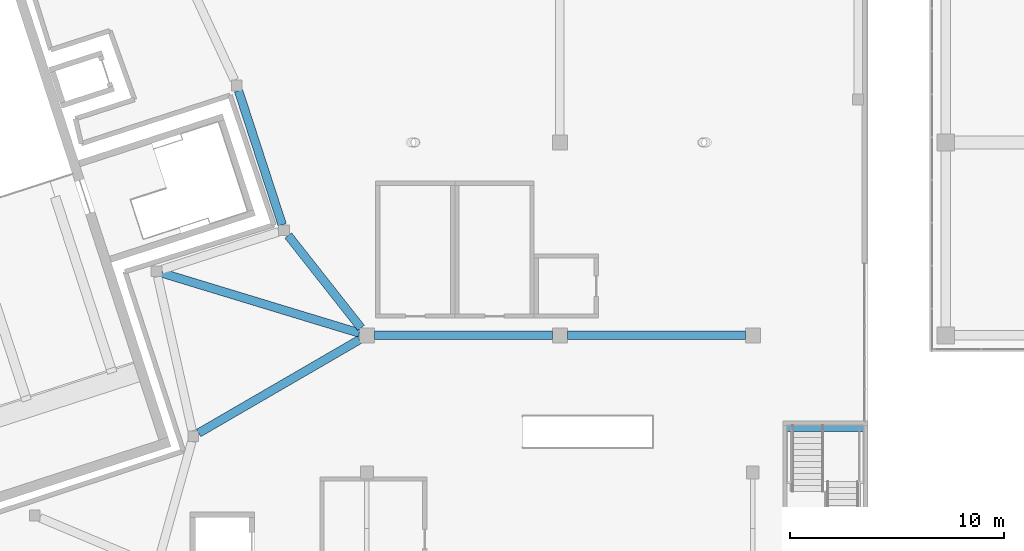
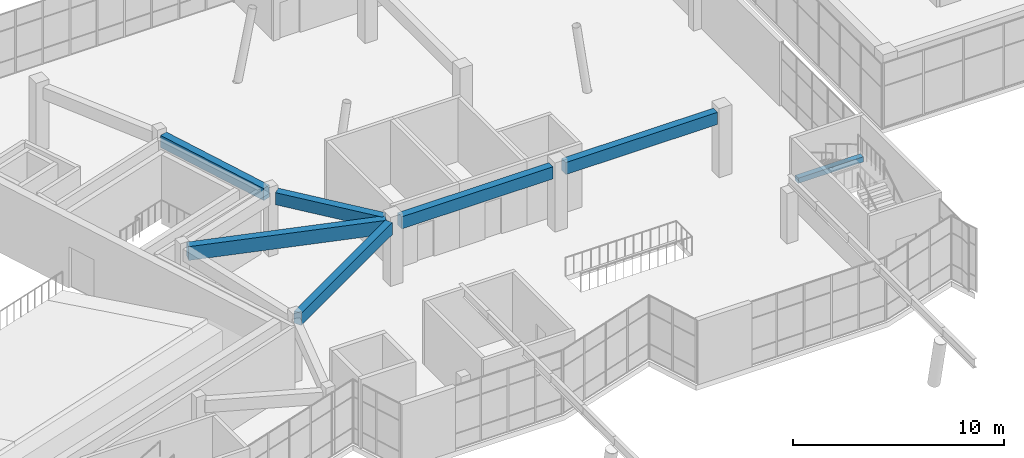
# One storey, part 10 of 65: 7 beams.
"""IFC4 building model written with IfcOpenShell, lengths in metres."""

import ifcopenshell
import ifcopenshell.guid

model = None  # the IFC model being written
_history = None  # IfcOwnerHistory: only IFC2X3 demands one
_inside = {}  # id of a spatial element -> (the spatial element, [elements in it])
_under = {}  # id of a project, library or spatial element -> (it, [spatial elements below it])
_declared = {}  # id of a project -> (the project, [libraries it declares])
_typed = {}  # id of a type object -> (the type object, [elements of that type])
_made_of = {}  # id of a material, layer set ... -> (it, [elements and type objects made of it])


def new_model(schema):
    """Start an empty IFC model of exactly this schema.

    Asked for "IFC4X3", IfcOpenShell would pick the latest addendum, in which some entities
    have other attributes; the version numbers below select the first issue.
    IFC2X3 requires an IfcOwnerHistory on every rooted entity: one is made here for all.
    """
    global model, _history
    if schema == "IFC4X3":
        model = ifcopenshell.file(schema_version=(4, 3, 0, 0))
    else:
        model = ifcopenshell.file(schema=schema)
    _inside.clear()
    _under.clear()
    _declared.clear()
    _typed.clear()
    _made_of.clear()
    _history = None
    if model.schema == "IFC2X3":
        org = make("IfcOrganization", Name="unknown")
        user = make(
            "IfcPersonAndOrganization",
            ThePerson=make("IfcPerson", FamilyName="unknown"),
            TheOrganization=org,
        )
        app = make(
            "IfcApplication",
            ApplicationDeveloper=org,
            Version="unknown",
            ApplicationFullName="unknown",
            ApplicationIdentifier="unknown",
        )
        _history = make(
            "IfcOwnerHistory",
            OwningUser=user,
            OwningApplication=app,
            ChangeAction="ADDED",
            CreationDate=0,
        )
    return model


def make(cls, **values):
    """One entity of the class cls with the attributes given. An attribute that is None is left unset."""
    return model.create_entity(
        cls, **{name: value for name, value in values.items() if value is not None}
    )


def rooted(cls, **values):
    """An entity with a GlobalId (a new one), such as an element, a storey or a relation."""
    return make(cls, GlobalId=ifcopenshell.guid.new(), OwnerHistory=_history, **values)


def si_unit(unit_type, name, prefix=None):
    """IfcSIUnit, for example si_unit("LENGTHUNIT", "METRE", prefix="MILLI")."""
    return make("IfcSIUnit", UnitType=unit_type, Prefix=prefix, Name=name)


def assignment(units):
    """IfcUnitAssignment: the units of a project."""
    return None if units is None else make("IfcUnitAssignment", Units=units)


def point(xyz):
    """IfcCartesianPoint."""
    return None if xyz is None else make("IfcCartesianPoint", Coordinates=xyz)


def direction(xyz):
    """IfcDirection."""
    return None if xyz is None else make("IfcDirection", DirectionRatios=xyz)


def frame(location, z_axis=None, x_axis=None):
    """IfcAxis2Placement3D, a coordinate frame: its origin and axes. An axis left out is left unset."""
    return make(
        "IfcAxis2Placement3D",
        Location=point(location),
        Axis=direction(z_axis),
        RefDirection=direction(x_axis),
    )


def frame_2d(location, x_axis=None):
    """IfcAxis2Placement2D, a coordinate frame in the plane: its origin and x axis."""
    return make(
        "IfcAxis2Placement2D", Location=point(location), RefDirection=direction(x_axis)
    )


def origin():
    """The frame at (0, 0, 0) with its axes left unset."""
    return frame((0.0, 0.0, 0.0))


def origin_2d():
    """The frame at (0, 0) in the plane with its x axis left unset."""
    return frame_2d((0.0, 0.0))


def place(relative_to, where):
    """IfcLocalPlacement: puts the frame where relative to a parent placement (None: the world)."""
    return make(
        "IfcLocalPlacement", PlacementRelTo=relative_to, RelativePlacement=where
    )


def context(
    kind, dimensions, precision=None, world=None, true_north=None, identifier=None
):
    """IfcGeometricRepresentationContext, for example the 3D "Model" context."""
    return make(
        "IfcGeometricRepresentationContext",
        ContextIdentifier=identifier,
        ContextType=kind,
        CoordinateSpaceDimension=dimensions,
        Precision=precision,
        WorldCoordinateSystem=world,
        TrueNorth=true_north,
    )


def subcontext(parent, identifier, kind, view, scale=None):
    """IfcGeometricRepresentationSubContext, for example "Body" below "Model"."""
    return make(
        "IfcGeometricRepresentationSubContext",
        ContextIdentifier=identifier,
        ContextType=kind,
        ParentContext=parent,
        TargetScale=scale,
        TargetView=view,
    )


def project(units=None, contexts=None):
    """IfcProject with its units and contexts."""
    return rooted(
        "IfcProject",
        Name="project",
        RepresentationContexts=contexts,
        UnitsInContext=assignment(units),
    )


def spatial(cls, under=None, at=None, **own):
    """A site, building, storey or space (cls), placed at a placement, below another one or the project."""
    s = rooted(cls, ObjectPlacement=at, **own)
    if under is not None:
        _under.setdefault(under.id(), (under, []))[1].append(s)
    return s


def profile(cls, at=None, kind="AREA", **sizes):
    """A parametric profile (cls). Its sizes go by their IFC names, for example OverallWidth=200.0."""
    return make(cls, ProfileType=kind, Position=at, **sizes)


def rectangle(**sizes):
    """IfcRectangleProfileDef."""
    return profile("IfcRectangleProfileDef", **sizes)


def extrude(swept, where, along, depth):
    """IfcExtrudedAreaSolid: the profile swept, set in the frame where, extruded along a direction by depth."""
    return make(
        "IfcExtrudedAreaSolid",
        SweptArea=swept,
        Position=where,
        ExtrudedDirection=direction(along),
        Depth=depth,
    )


def shape(context_of_items, identifier, shape_type, items):
    """IfcShapeRepresentation: the items that make up one representation, for example the "Body"."""
    return make(
        "IfcShapeRepresentation",
        ContextOfItems=context_of_items,
        RepresentationIdentifier=identifier,
        RepresentationType=shape_type,
        Items=items,
    )


def material(Name=None, Category=None):
    """IfcMaterial."""
    return make("IfcMaterial", Name=Name, Category=Category)


def material_profile(
    of_material, cross_section, Name=None, Category=None, Priority=None
):
    """IfcMaterialProfile: a cross section and its material."""
    return make(
        "IfcMaterialProfile",
        Name=Name,
        Material=of_material,
        Profile=cross_section,
        Priority=Priority,
        Category=Category,
    )


def profile_set(profiles, Name=None, composite=None):
    """IfcMaterialProfileSet."""
    return make(
        "IfcMaterialProfileSet",
        Name=Name,
        MaterialProfiles=profiles,
        CompositeProfile=composite,
    )


def made_of(thing, what):
    """Note that an element or type object is made of a material, layer set ...; save() writes the relation."""
    if what is not None:
        _made_of.setdefault(what.id(), (what, []))[1].append(thing)
    return thing


def type_object(cls, material=None, **own):
    """A type object (cls), such as IfcWallType, which elements share."""
    return made_of(rooted(cls, **own), material)


def element(
    cls,
    number,
    at=None,
    inside=None,
    cuts=None,
    type_object=None,
    material=None,
    context=None,
    identifier="Body",
    shape_type=None,
    held_by="IfcProductDefinitionShape",
    body=None,
    shapes=None,
    **own,
):
    """One element of the class cls, such as IfcWall. Its Tag is "e" and its number.

    at: its placement. inside: the storey or other place that contains it. cuts: it is an
    opening in that element (IfcRelVoidsElement). A single representation is given by context,
    identifier, shape_type and body (its items); several are given by shapes. held_by: the class
    of the entity that holds the representations. save() writes the other relations.
    """
    e = rooted(cls, Tag="e%d" % number, ObjectPlacement=at, **own)
    if body is not None:
        shapes = [shape(context, identifier, shape_type, body)]
    if shapes is not None:
        e.Representation = make(held_by, Representations=shapes)
    if inside is not None:
        _inside.setdefault(inside.id(), (inside, []))[1].append(e)
    if cuts is not None:
        rooted(
            "IfcRelVoidsElement", RelatingBuildingElement=cuts, RelatedOpeningElement=e
        )
    if type_object is not None:
        _typed.setdefault(type_object.id(), (type_object, []))[1].append(e)
    return made_of(e, material)


def aggregate(whole, parts):
    """IfcRelAggregates: a whole, such as a stair, and the parts it consists of."""
    return rooted("IfcRelAggregates", RelatingObject=whole, RelatedObjects=parts)


def save(model, path):
    """Write the relations noted so far, then the file.

    IfcRelAggregates (storeys below a building ...), IfcRelContainedInSpatialStructure (elements
    in a storey), IfcRelDefinesByType, IfcRelAssociatesMaterial and IfcRelDeclares: one each for
    every whole, place, type object, material and project.
    """
    for whole, parts in _under.values():
        aggregate(whole, parts)
    for where, things in _inside.values():
        rooted(
            "IfcRelContainedInSpatialStructure",
            RelatedElements=things,
            RelatingStructure=where,
        )
    for kind, things in _typed.values():
        rooted("IfcRelDefinesByType", RelatedObjects=things, RelatingType=kind)
    for what, things in _made_of.values():
        rooted("IfcRelAssociatesMaterial", RelatedObjects=things, RelatingMaterial=what)
    for by, libraries in _declared.values():
        rooted("IfcRelDeclares", RelatingContext=by, RelatedDefinitions=libraries)
    model.write(path)


model = new_model("IFC4")

# Units and contexts
model_context = context("Model", 3, precision=1e-05, world=origin(), true_north=direction((0.0, 1.0)))
body_context = subcontext(model_context, "Body", "Model", "MODEL_VIEW")
ifc_project = project(units=[si_unit("LENGTHUNIT", "METRE"), si_unit("AREAUNIT", "SQUARE_METRE"), si_unit("VOLUMEUNIT", "CUBIC_METRE"), si_unit("PLANEANGLEUNIT", "RADIAN"), si_unit("MASSUNIT", "GRAM", prefix="KILO")], contexts=[model_context])

# Site, building, storey
site_placement = place(None, origin())
site = spatial("IfcSite", under=ifc_project, at=site_placement, CompositionType="ELEMENT")
building_placement = place(site_placement, origin())
building = spatial("IfcBuilding", under=site, at=building_placement, Name="Tuart Plaza Theatre", CompositionType="ELEMENT")
storey_placement = place(building_placement, frame((0.0, 0.0, 9.5)))
storey = spatial("IfcBuildingStorey", under=building, at=storey_placement, Name="L02", CompositionType="ELEMENT", Elevation=9.5)

# Beams
ifc_material_1 = material(Name="Concrete N40 (40 MPa)", Category="concrete")
ifc_material_profile_1 = material_profile(ifc_material_1, rectangle(XDim=0.300048828125, YDim=0.300048828125, at=origin_2d()), Name="BEAM 300x300 Concrete N40 (40 MPa)")
ifc_profile_set_1 = profile_set([ifc_material_profile_1], Name="Concrete N40 (40 MPa)")
beam_type_1 = type_object("IfcBeamType", Name="BEAM 300x300 Concrete N40 (40 MPa)", PredefinedType="BEAM", material=ifc_profile_set_1)
beam_1_placement = place(storey_placement, frame((110.159912109375, 51.659912109375, 1.64990234375), z_axis=(-1.0, 0.0, 0.0), x_axis=(0.0, -1.0, 0.0)))
element("IfcBeam", 1, at=beam_1_placement, inside=storey, type_object=beam_type_1, Name="RB60", PredefinedType="BEAM", context=body_context, shape_type="SweptSolid", body=[
    extrude(rectangle(XDim=0.300048828125, YDim=0.300048828125, at=origin_2d()), origin(), (0.0, 0.0, 1.0), 3.559814453125),
])
ifc_material_2 = material(Name="Concrete N40 (40 MPa)", Category="concrete")
ifc_material_profile_2 = material_profile(ifc_material_2, rectangle(XDim=0.39990234375, YDim=0.699951171875, at=origin_2d()), Name="BEAM 400x700 Concrete N40 (40 MPa)")
ifc_profile_set_2 = profile_set([ifc_material_profile_2], Name="Concrete N40 (40 MPa)")
beam_type_2 = type_object("IfcBeamType", Name="BEAM 400x700 Concrete N40 (40 MPa)", PredefinedType="BEAM", material=ifc_profile_set_2)
beam_2_placement = place(storey_placement, frame((87.35009765625, 56.0, 3.35009765625), z_axis=(1.0, 0.0, 0.0), x_axis=(0.0, 1.0, 0.0)))
element("IfcBeam", 2, at=beam_2_placement, inside=storey, type_object=beam_type_2, Name="RB473", PredefinedType="BEAM", context=body_context, shape_type="SweptSolid", body=[
    extrude(rectangle(XDim=0.39990234375, YDim=0.699951171875, at=origin_2d()), origin(), (0.0, 0.0, 1.0), 8.2998046875),
])
beam_3_placement = place(storey_placement, frame((86.64990234375, 55.796875, 3.35009765625), z_axis=(-0.864940750238, -0.501873986751, 0.0), x_axis=(0.501873986751, -0.864940750238, 0.0)))
element("IfcBeam", 3, at=beam_3_placement, inside=storey, type_object=beam_type_2, Name="RB474", PredefinedType="BEAM", context=body_context, shape_type="SweptSolid", body=[
    extrude(rectangle(XDim=0.39990234375, YDim=0.699951171875, at=origin_2d()), origin(), (0.0, 0.0, 1.0), 8.671142578125),
])
beam_4_placement = place(storey_placement, frame((86.72412109375, 56.35009765625, 3.35009765625), z_axis=(-0.619025268414, 0.785371069664, 0.0), x_axis=(-0.785371069664, -0.619025268414, 0.0)))
element("IfcBeam", 4, at=beam_4_placement, inside=storey, type_object=beam_type_2, Name="RB476", PredefinedType="BEAM", context=body_context, shape_type="SweptSolid", body=[
    extrude(rectangle(XDim=0.39990234375, YDim=0.699951171875, at=origin_2d()), origin(), (0.0, 0.0, 1.0), 5.487548828125),
])
beam_5_placement = place(storey_placement, frame((96.35009765625, 56.0, 3.35009765625), z_axis=(1.0, 0.0, 0.0), x_axis=(0.0, 1.0, 0.0)))
element("IfcBeam", 5, at=beam_5_placement, inside=storey, type_object=beam_type_2, Name="RB477", PredefinedType="BEAM", context=body_context, shape_type="SweptSolid", body=[
    extrude(rectangle(XDim=0.39990234375, YDim=0.699951171875, at=origin_2d()), origin(), (0.0, 0.0, 1.0), 8.2998046875),
])
beam_6_placement = place(storey_placement, frame((83.048583984375, 61.159912109375, 3.35009765625), z_axis=(-0.3098921555, 0.950771713904, 0.0), x_axis=(-0.950771713904, -0.3098921555, 0.0)))
element("IfcBeam", 6, at=beam_6_placement, inside=storey, type_object=beam_type_2, Name="RB484", PredefinedType="BEAM", context=body_context, shape_type="SweptSolid", body=[
    extrude(rectangle(XDim=0.39990234375, YDim=0.699951171875, at=origin_2d()), origin(), (0.0, 0.0, 1.0), 6.573486328125),
])
ifc_material_3 = material(Name="Concrete N40 (40 MPa)", Category="concrete")
ifc_material_profile_3 = material_profile(ifc_material_3, rectangle(XDim=0.39990234375, YDim=0.800048828125, at=origin_2d()), Name="BEAM 400x800 Concrete N40 (40 MPa)")
ifc_profile_set_3 = profile_set([ifc_material_profile_3], Name="Concrete N40 (40 MPa)")
beam_type_3 = type_object("IfcBeamType", Name="BEAM 400x800 Concrete N40 (40 MPa)", PredefinedType="BEAM", material=ifc_profile_set_3)
beam_7_placement = place(storey_placement, frame((86.64990234375, 56.1064453125, 3.300048828125), z_axis=(-0.956748419242, 0.290916589897, 0.0), x_axis=(-0.290916589897, -0.956748419242, 0.0)))
element("IfcBeam", 7, at=beam_7_placement, inside=storey, type_object=beam_type_3, Name="RB475", PredefinedType="BEAM", context=body_context, shape_type="SweptSolid", body=[
    extrude(rectangle(XDim=0.39990234375, YDim=0.800048828125, at=origin_2d()), origin(), (0.0, 0.0, 1.0), 9.635009765625),
])

save(model, "model.ifc")
